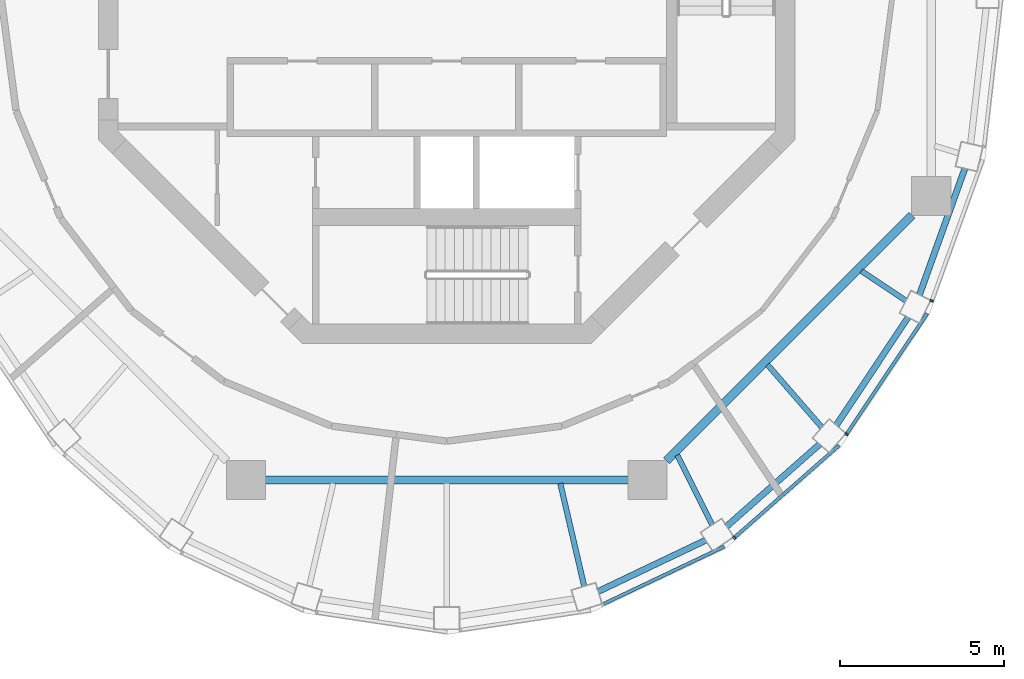
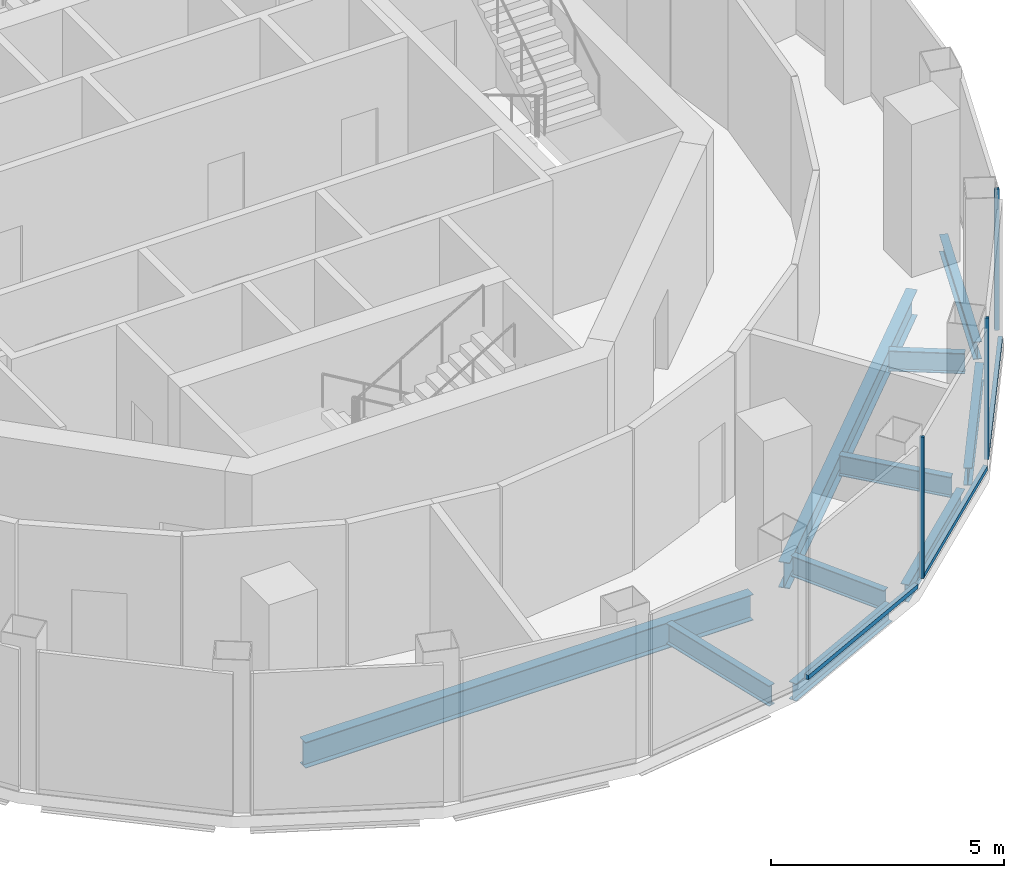
# One storey, part 3 of 11: 10 beams, 6 members, 4 elements without a shape of their own.
"""IFC4 building model written with IfcOpenShell, lengths in metres."""

from ifc_helpers import new_model, si_unit, direction, frame, origin, origin_2d, place, context, subcontext, project, spatial, rectangle, i_section, extrude, material, layer, layer_set, material_profile, profile_set, type_object, element, aggregate, save


model = new_model("IFC4")

# Units and contexts
model_context = context("Model", 3, precision=1e-05, world=origin(), true_north=direction((0.0, 1.0)))
body_context = subcontext(model_context, "Body", "Model", "MODEL_VIEW")
ifc_project = project(units=[si_unit("LENGTHUNIT", "METRE"), si_unit("AREAUNIT", "SQUARE_METRE"), si_unit("VOLUMEUNIT", "CUBIC_METRE"), si_unit("PLANEANGLEUNIT", "RADIAN"), si_unit("MASSUNIT", "GRAM", prefix="KILO")], contexts=[model_context])

# Site, building, storey
site_placement = place(None, origin())
site = spatial("IfcSite", under=ifc_project, at=site_placement, CompositionType="ELEMENT")
building_placement = place(site_placement, origin())
building = spatial("IfcBuilding", under=site, at=building_placement, Name="Nagisa Residences", CompositionType="ELEMENT")
storey_placement = place(building_placement, frame((0.0, 0.0, 336.89990234375)))
storey = spatial("IfcBuildingStorey", under=building, at=storey_placement, Name="L83", CompositionType="ELEMENT", Elevation=336.89990234375)

# Curtain wall, member
ifc_material_1 = material(Name="Aluminium curtain wall system", Category="aluminium")
ifc_layer = layer(ifc_material_1, 0.159912109375)
ifc_layer_set = layer_set([ifc_layer], Name="CW5 CURTAIN WALL")
curtain_wall_type = type_object("IfcCurtainWallType", Name="CW5 CURTAIN WALL", PredefinedType="NOTDEFINED", material=ifc_layer_set)
curtain_wall_1_placement = place(storey_placement, origin())
curtain_wall_1 = element("IfcCurtainWall", 1, at=curtain_wall_1_placement, inside=storey, type_object=curtain_wall_type, Name="cw:CW5:L83:20", PredefinedType="NOTDEFINED")
ifc_material_2 = material(Name="Aluminium", Category="aluminium")
ifc_material_profile_1 = material_profile(ifc_material_2, rectangle(XDim=0.10009765625, YDim=0.06005859375, at=origin_2d()), Name="CW5 MULLION 100x60")
ifc_profile_set_1 = profile_set([ifc_material_profile_1], Name="Aluminium")
member_type_1 = type_object("IfcMemberType", Name="CW5 MULLION 100x60", PredefinedType="MULLION", material=ifc_profile_set_1)
member_1_placement = place(storey_placement, frame((8.77001953125, -16.54345703125, 0.0), z_axis=(0.0, 0.0, 1.0), x_axis=(-0.660699467703, 0.750650526795, 0.0)))
member_1 = element("IfcMember", 2, at=member_1_placement, type_object=member_type_1, Name="CW5 mullion", PredefinedType="MULLION", context=body_context, shape_type="SweptSolid", body=[
    extrude(rectangle(XDim=0.10009765625, YDim=0.06005859375, at=origin_2d()), origin(), (0.0, 0.0, 1.0), 3.7001953125),
])

curtain_wall_2_placement = place(storey_placement, origin())
curtain_wall_2 = element("IfcCurtainWall", 3, at=curtain_wall_2_placement, inside=storey, type_object=curtain_wall_type, Name="cw:CW5:L83:21", PredefinedType="NOTDEFINED")
member_2_placement = place(storey_placement, frame((12.193359375, -13.38671875, 0.0), z_axis=(0.0, 0.0, 1.0), x_axis=(-0.831172662415, 0.556014393027, 0.0)))
member_2 = element("IfcMember", 4, at=member_2_placement, type_object=member_type_1, Name="CW5 mullion", PredefinedType="MULLION", context=body_context, shape_type="SweptSolid", body=[
    extrude(rectangle(XDim=0.10009765625, YDim=0.06005859375, at=origin_2d()), origin(), (0.0, 0.0, 1.0), 3.7001953125),
])

curtain_wall_3_placement = place(storey_placement, origin())
curtain_wall_3 = element("IfcCurtainWall", 5, at=curtain_wall_3_placement, inside=storey, type_object=curtain_wall_type, Name="cw:CW5:L83:22", PredefinedType="NOTDEFINED")
member_3_placement = place(storey_placement, frame((14.793212890625, -9.318359375, 0.0), z_axis=(0.0, 0.0, 1.0), x_axis=(-0.940554456033, 0.339642923136, 0.0)))
member_3 = element("IfcMember", 6, at=member_3_placement, type_object=member_type_1, Name="CW5 mullion", PredefinedType="MULLION", context=body_context, shape_type="SweptSolid", body=[
    extrude(rectangle(XDim=0.10009765625, YDim=0.06005859375, at=origin_2d()), origin(), (0.0, 0.0, 1.0), 3.7001953125),
])
aggregate(curtain_wall_3, [member_3])

curtain_wall_4_placement = place(storey_placement, origin())
curtain_wall_4 = element("IfcCurtainWall", 7, at=curtain_wall_4_placement, inside=storey, type_object=curtain_wall_type, Name="cw:CW5:L83:19", PredefinedType="NOTDEFINED")
ifc_material_3 = material(Name="Aluminium", Category="aluminium")
ifc_material_profile_2 = material_profile(ifc_material_3, rectangle(XDim=0.10009765625, YDim=0.1201171875, at=origin_2d()), Name="CW5 TRANSOM 100x120")
ifc_profile_set_2 = profile_set([ifc_material_profile_2], Name="Aluminium")
member_type_2 = type_object("IfcMemberType", Name="CW5 TRANSOM 100x120", PredefinedType="USERDEFINED", material=ifc_profile_set_2)
member_4_placement = place(storey_placement, frame((4.726806640625, -18.591552734375, 0.06005859375), z_axis=(0.903235211694, 0.429145840426, 0.0), x_axis=(-0.429145840426, 0.903235211694, 0.0)))
member_4 = element("IfcMember", 8, at=member_4_placement, type_object=member_type_2, Name="CW5 transom", ObjectType="TRANSOM", PredefinedType="USERDEFINED", context=body_context, shape_type="SweptSolid", body=[
    extrude(rectangle(XDim=0.10009765625, YDim=0.1201171875, at=origin_2d()), origin(), (0.0, 0.0, 1.0), 4.139404296875),
])
aggregate(curtain_wall_4, [member_4])

# Member
member_5_placement = place(storey_placement, frame((8.747314453125, -16.563232421875, 0.06005859375), z_axis=(0.750655944686, 0.66069331214, 0.0), x_axis=(-0.66069331214, 0.750655944686, 0.0)))
member_5 = element("IfcMember", 9, at=member_5_placement, type_object=member_type_2, Name="CW5 transom", ObjectType="TRANSOM", PredefinedType="USERDEFINED", context=body_context, shape_type="SweptSolid", body=[
    extrude(rectangle(XDim=0.10009765625, YDim=0.1201171875, at=origin_2d()), origin(), (0.0, 0.0, 1.0), 4.29052734375),
])

aggregate(curtain_wall_1, [member_1, member_5])

member_6_placement = place(storey_placement, frame((12.1767578125, -13.41162109375, 0.06005859375), z_axis=(0.556026221044, 0.831164749921, 0.0), x_axis=(-0.831164749921, 0.556026221044, 0.0)))
member_6 = element("IfcMember", 10, at=member_6_placement, type_object=member_type_2, Name="CW5 transom", ObjectType="TRANSOM", PredefinedType="USERDEFINED", context=body_context, shape_type="SweptSolid", body=[
    extrude(rectangle(XDim=0.10009765625, YDim=0.1201171875, at=origin_2d()), origin(), (0.0, 0.0, 1.0), 4.458984375),
])

aggregate(curtain_wall_2, [member_2, member_6])

# Beams
ifc_material_4 = material(Name="Steel ASTM A572 Gr 50", Category="steel")
ifc_material_profile_3 = material_profile(ifc_material_4, i_section(OverallWidth=0.2529296875, OverallDepth=0.677978515625, WebThickness=0.01171875, FlangeThickness=0.016357421875, at=origin_2d()), Name="W690x125")
ifc_profile_set_3 = profile_set([ifc_material_profile_3], Name="Steel ASTM A572 Gr 50")
beam_type_1 = type_object("IfcBeamType", Name="Inner ring beam W690x125", PredefinedType="BEAM", material=ifc_profile_set_3)
beam_1_placement = place(storey_placement, frame((-5.54296875, -14.781982421875, -0.638916015625), z_axis=(1.0, 0.0, 0.0), x_axis=(0.0, 1.0, 0.0)))
element("IfcBeam", 11, at=beam_1_placement, inside=storey, type_object=beam_type_1, Name="beam:L83:ib6", PredefinedType="BEAM", context=body_context, shape_type="SweptSolid", body=[
    extrude(i_section(OverallWidth=0.2529296875, OverallDepth=0.677978515625, WebThickness=0.01171875, FlangeThickness=0.016357421875, at=origin_2d()), origin(), (0.0, 0.0, 1.0), 11.0859375),
])
beam_2_placement = place(storey_placement, frame((6.708740234375, -14.1962890625, -0.638916015625), z_axis=(0.707106781187, 0.707106781187, 0.0), x_axis=(-0.707106781187, 0.707106781187, 0.0)))
element("IfcBeam", 12, at=beam_2_placement, inside=storey, type_object=beam_type_1, Name="beam:L83:ib7", PredefinedType="BEAM", context=body_context, shape_type="SweptSolid", body=[
    extrude(i_section(OverallWidth=0.2529296875, OverallDepth=0.677978515625, WebThickness=0.01171875, FlangeThickness=0.016357421875, at=origin_2d()), origin(), (0.0, 0.0, 1.0), 10.589111328125),
])
ifc_material_5 = material(Name="Steel ASTM A572 Gr 50", Category="steel")
ifc_material_profile_4 = material_profile(ifc_material_5, i_section(OverallWidth=0.18994140625, OverallDepth=0.45703125, WebThickness=0.009033203125, FlangeThickness=0.014404296875, at=origin_2d()), Name="W460x74")
ifc_profile_set_4 = profile_set([ifc_material_profile_4], Name="Steel ASTM A572 Gr 50")
beam_type_2 = type_object("IfcBeamType", Name="Perimeter ring beam W460x74", PredefinedType="BEAM", material=ifc_profile_set_4)
beam_3_placement = place(storey_placement, frame((4.617431640625, -18.18701171875, -0.5283203125), z_axis=(0.902613702305, 0.430451512266, 0.0), x_axis=(-0.430451512266, 0.902613702305, 0.0)))
element("IfcBeam", 13, at=beam_3_placement, inside=storey, type_object=beam_type_2, Name="beam:L83:pb20", PredefinedType="BEAM", context=body_context, shape_type="SweptSolid", body=[
    extrude(i_section(OverallWidth=0.18994140625, OverallDepth=0.45703125, WebThickness=0.009033203125, FlangeThickness=0.014404296875, at=origin_2d()), origin(), (0.0, 0.0, 1.0), 3.640625),
])
beam_4_placement = place(storey_placement, frame((8.53759765625, -16.2001953125, -0.5283203125), z_axis=(0.749401876552, 0.662115418503, 0.0), x_axis=(-0.662115418503, 0.749401876552, 0.0)))
element("IfcBeam", 14, at=beam_4_placement, inside=storey, type_object=beam_type_2, Name="beam:L83:pb21", PredefinedType="BEAM", context=body_context, shape_type="SweptSolid", body=[
    extrude(i_section(OverallWidth=0.18994140625, OverallDepth=0.45703125, WebThickness=0.009033203125, FlangeThickness=0.014404296875, at=origin_2d()), origin(), (0.0, 0.0, 1.0), 3.792724609375),
])
beam_5_placement = place(storey_placement, frame((11.8798828125, -13.115966796875, -0.5283203125), z_axis=(0.554529560082, 0.832164026497, 0.0), x_axis=(-0.832164026497, 0.554529560082, 0.0)))
element("IfcBeam", 15, at=beam_5_placement, inside=storey, type_object=beam_type_2, Name="beam:L83:pb22", PredefinedType="BEAM", context=body_context, shape_type="SweptSolid", body=[
    extrude(i_section(OverallWidth=0.18994140625, OverallDepth=0.45703125, WebThickness=0.009033203125, FlangeThickness=0.014404296875, at=origin_2d()), origin(), (0.0, 0.0, 1.0), 3.96240234375),
])
beam_6_placement = place(storey_placement, frame((14.4189453125, -9.1396484375, -0.5283203125), z_axis=(0.338517252251, 0.940960185092, 0.0), x_axis=(-0.940960185092, 0.338517252251, 0.0)))
element("IfcBeam", 16, at=beam_6_placement, inside=storey, type_object=beam_type_2, Name="beam:L83:pb23", PredefinedType="BEAM", context=body_context, shape_type="SweptSolid", body=[
    extrude(i_section(OverallWidth=0.18994140625, OverallDepth=0.45703125, WebThickness=0.009033203125, FlangeThickness=0.014404296875, at=origin_2d()), origin(), (0.0, 0.0, 1.0), 4.1044921875),
])
ifc_material_6 = material(Name="Steel ASTM A572 Gr 50", Category="steel")
ifc_material_profile_5 = material_profile(ifc_material_6, i_section(OverallWidth=0.166015625, OverallDepth=0.534912109375, WebThickness=0.01025390625, FlangeThickness=0.0166015625, at=origin_2d()), Name="W530x85")
ifc_profile_set_5 = profile_set([ifc_material_profile_5], Name="Steel ASTM A572 Gr 50")
beam_type_3 = type_object("IfcBeamType", Name="Radial beam W530x85", PredefinedType="BEAM", material=ifc_profile_set_5)
beam_7_placement = place(storey_placement, frame((4.195556640625, -18.0302734375, -0.5673828125), z_axis=(-0.226650446588, 0.973976167604, 0.0), x_axis=(-0.973976167604, -0.226650446588, 0.0)))
element("IfcBeam", 17, at=beam_7_placement, inside=storey, type_object=beam_type_3, Name="beam:L83:rb20", PredefinedType="BEAM", context=body_context, shape_type="SweptSolid", body=[
    extrude(i_section(OverallWidth=0.166015625, OverallDepth=0.534912109375, WebThickness=0.01025390625, FlangeThickness=0.0166015625, at=origin_2d()), origin(), (0.0, 0.0, 1.0), 3.22509765625),
])
beam_8_placement = place(storey_placement, frame((8.10107421875, -16.1572265625, -0.5673828125), z_axis=(-0.448236908276, 0.893914802461, 0.0), x_axis=(-0.893914802461, -0.448236908276, 0.0)))
element("IfcBeam", 18, at=beam_8_placement, inside=storey, type_object=beam_type_3, Name="beam:L83:rb21", PredefinedType="BEAM", context=body_context, shape_type="SweptSolid", body=[
    extrude(i_section(OverallWidth=0.166015625, OverallDepth=0.534912109375, WebThickness=0.01025390625, FlangeThickness=0.0166015625, at=origin_2d()), origin(), (0.0, 0.0, 1.0), 2.385009765625),
])
beam_9_placement = place(storey_placement, frame((11.44873046875, -13.183349609375, -0.5673828125), z_axis=(-0.655718438616, 0.755005516045, 0.0), x_axis=(-0.755005516045, -0.655718438616, 0.0)))
element("IfcBeam", 19, at=beam_9_placement, inside=storey, type_object=beam_type_3, Name="beam:L83:rb22", PredefinedType="BEAM", context=body_context, shape_type="SweptSolid", body=[
    extrude(i_section(OverallWidth=0.166015625, OverallDepth=0.534912109375, WebThickness=0.01025390625, FlangeThickness=0.0166015625, at=origin_2d()), origin(), (0.0, 0.0, 1.0), 2.53515625),
])
beam_10_placement = place(storey_placement, frame((14.012451171875, -9.31591796875, -0.5673828125), z_axis=(-0.832714310154, 0.553702878505, 0.0), x_axis=(-0.553702878505, -0.832714310154, 0.0)))
element("IfcBeam", 20, at=beam_10_placement, inside=storey, type_object=beam_type_3, Name="beam:L83:rb23", PredefinedType="BEAM", context=body_context, shape_type="SweptSolid", body=[
    extrude(i_section(OverallWidth=0.166015625, OverallDepth=0.534912109375, WebThickness=0.01025390625, FlangeThickness=0.0166015625, at=origin_2d()), origin(), (0.0, 0.0, 1.0), 1.638916015625),
])

save(model, "model.ifc")
